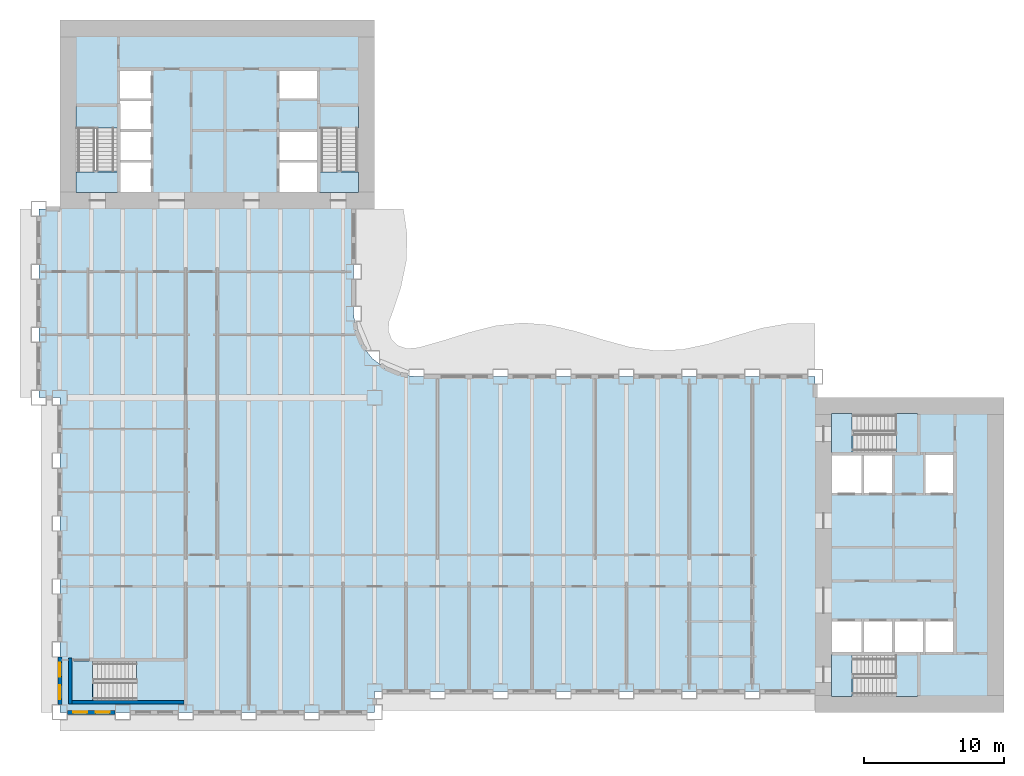
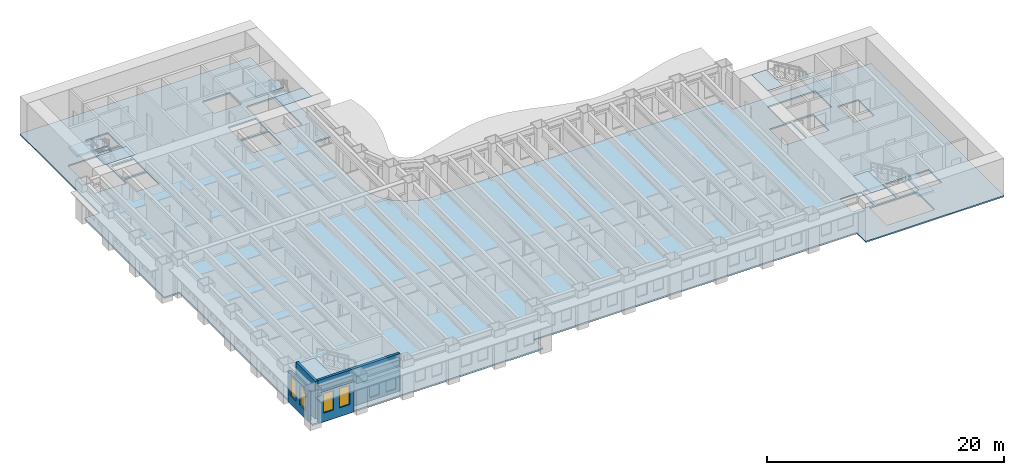
# One storey, part 2 of 15: 11 slabs, 4 walls, 4 windows, 4 openings, 5 elements without a shape of their own.
"""IFC4 building model written with IfcOpenShell, lengths in metres."""

from ifc_helpers import new_model, si_unit, direction, frame, frame_2d, origin, place, context, subcontext, project, spatial, polyline, rectangle, outline, extrude, material, layer, layer_set, type_object, element, fill, aggregate, save


model = new_model("IFC4")

# Units and contexts
model_context = context("Model", 3, precision=1e-05, world=origin(), true_north=direction((0.0, 1.0)))
body_context = subcontext(model_context, "Body", "Model", "MODEL_VIEW")
ifc_project = project(units=[si_unit("LENGTHUNIT", "METRE"), si_unit("AREAUNIT", "SQUARE_METRE"), si_unit("VOLUMEUNIT", "CUBIC_METRE"), si_unit("PLANEANGLEUNIT", "RADIAN"), si_unit("MASSUNIT", "GRAM", prefix="KILO")], contexts=[model_context])

# Site, building, storey
site_placement = place(None, origin())
site = spatial("IfcSite", under=ifc_project, at=site_placement, CompositionType="ELEMENT")
building_placement = place(site_placement, origin())
building = spatial("IfcBuilding", under=site, at=building_placement, Name="Sennacour Bend Tower", CompositionType="ELEMENT")
storey_placement = place(building_placement, frame((0.0, 0.0, 33.0)))
storey = spatial("IfcBuildingStorey", under=building, at=storey_placement, Name="L06", CompositionType="ELEMENT", Elevation=33.0)

# Slabs
ifc_material_1 = material(Name="Concrete C30/37", Category="concrete")
ifc_layer_1 = layer(ifc_material_1, 0.14990234375, Name="Concrete C30/37", Category="concrete")
ifc_layer_set_1 = layer_set([ifc_layer_1], Name="Concrete C30/37")
slab_type_1 = type_object("IfcSlabType", Name="Floor slab 150", PredefinedType="FLOOR", material=ifc_layer_set_1)
slab_1_placement = place(storey_placement, frame((0.0, 0.0, -0.14990234375)))
element("IfcSlab", 1, at=slab_1_placement, inside=storey, type_object=slab_type_1, Name="Floor slab L06-01", PredefinedType="FLOOR", context=body_context, shape_type="SweptSolid", body=[
    extrude(outline(polyline([(0.0, 22.5), (-1.5, 22.5), (-1.5, 36.0), (0.0, 36.0), (0.0, 49.5), (22.5, 49.5), (22.5, 36.0), (21.0, 36.0), (21.0, 28.5), (21.1533203125, 27.335205078125), (21.602783203125, 26.25), (22.318115234375, 25.318115234375), (23.25, 24.602783203125), (24.335205078125, 24.1533203125), (25.5, 24.0), (54.0, 24.0), (54.0, 22.5), (67.5, 22.5), (67.5, 0.0), (54.0, 0.0), (54.0, 1.5), (22.5, 1.5), (22.5, 0.0), (0.0, 0.0), (0.0, 22.5)]), holes=[polyline([(8.800048828125, 0.949951171875), (8.800048828125, 3.5), (2.429931640625, 3.5), (2.429931640625, 0.949951171875), (8.800048828125, 0.949951171875)]), polyline([(6.5, 37.199951171875), (6.5, 39.300048828125), (4.300048828125, 39.300048828125), (4.300048828125, 37.199951171875), (6.5, 37.199951171875)]), polyline([(18.39990234375, 37.199951171875), (18.39990234375, 39.300048828125), (15.699951171875, 39.300048828125), (15.699951171875, 37.199951171875), (18.39990234375, 37.199951171875)]), polyline([(6.5, 39.5), (6.5, 41.5), (4.300048828125, 41.5), (4.300048828125, 39.5), (6.5, 39.5)]), polyline([(18.39990234375, 39.5), (18.39990234375, 41.5), (15.699951171875, 41.5), (15.699951171875, 39.5), (18.39990234375, 39.5)]), polyline([(4.125, 38.72998046875), (4.125, 43.39990234375), (1.14990234375, 43.39990234375), (1.14990234375, 38.72998046875), (4.125, 38.72998046875)]), polyline([(21.35009765625, 38.72998046875), (21.35009765625, 43.39990234375), (18.574951171875, 43.39990234375), (18.574951171875, 38.72998046875), (21.35009765625, 38.72998046875)]), polyline([(4.300048828125, 41.699951171875), (6.5, 41.699951171875), (6.5, 43.699951171875), (4.300048828125, 43.699951171875), (4.300048828125, 41.699951171875)]), polyline([(4.300048828125, 43.89990234375), (6.5, 43.89990234375), (6.5, 45.89990234375), (4.300048828125, 45.89990234375), (4.300048828125, 43.89990234375)]), polyline([(18.39990234375, 43.89990234375), (18.39990234375, 45.89990234375), (15.699951171875, 45.89990234375), (15.699951171875, 43.89990234375), (18.39990234375, 43.89990234375)]), polyline([(61.39990234375, 1.14990234375), (61.39990234375, 4.125), (56.72998046875, 4.125), (56.72998046875, 1.14990234375), (61.39990234375, 1.14990234375)]), polyline([(57.300048828125, 4.300048828125), (57.300048828125, 6.5), (55.199951171875, 6.5), (55.199951171875, 4.300048828125), (57.300048828125, 4.300048828125)]), polyline([(57.5, 4.300048828125), (59.5, 4.300048828125), (59.5, 6.5), (57.5, 6.5), (57.5, 4.300048828125)]), polyline([(59.699951171875, 4.300048828125), (61.699951171875, 4.300048828125), (61.699951171875, 6.5), (59.699951171875, 6.5), (59.699951171875, 4.300048828125)]), polyline([(63.89990234375, 4.300048828125), (63.89990234375, 6.5), (61.89990234375, 6.5), (61.89990234375, 4.300048828125), (63.89990234375, 4.300048828125)]), polyline([(57.300048828125, 15.699951171875), (57.300048828125, 18.39990234375), (55.199951171875, 18.39990234375), (55.199951171875, 15.699951171875), (57.300048828125, 15.699951171875)]), polyline([(59.5, 15.699951171875), (59.5, 18.39990234375), (57.5, 18.39990234375), (57.5, 15.699951171875), (59.5, 15.699951171875)]), polyline([(61.89990234375, 15.699951171875), (63.89990234375, 15.699951171875), (63.89990234375, 18.39990234375), (61.89990234375, 18.39990234375), (61.89990234375, 15.699951171875)]), polyline([(56.72998046875, 18.574951171875), (61.39990234375, 18.574951171875), (61.39990234375, 21.35009765625), (56.72998046875, 21.35009765625), (56.72998046875, 18.574951171875)])]), origin(), (0.0, 0.0, 1.0), 0.14990234375),
])
ifc_material_2 = material(Name="Concrete C40/50", Category="concrete")
ifc_layer_2 = layer(ifc_material_2, 0.034912109375, Name="Concrete C40/50", Category="concrete")
ifc_layer_set_2 = layer_set([ifc_layer_2], Name="Concrete C40/50")
slab_type_2 = type_object("IfcSlabType", Name="Stair arrival nib 35", PredefinedType="FLOOR", material=ifc_layer_set_2)
slab_2_placement = place(storey_placement, frame((0.0, 0.0, 3.815185546875)))
element("IfcSlab", 2, at=slab_2_placement, inside=storey, type_object=slab_type_2, Name="L06 SA1 stair arrival nib", PredefinedType="FLOOR", context=body_context, shape_type="SweptSolid", body=[
    extrude(outline(polyline([(56.64208984375, 4.125), (55.14990234375, 4.125), (55.14990234375, 1.14990234375), (56.64208984375, 1.14990234375), (56.64208984375, 4.125)])), origin(), (0.0, 0.0, 1.0), 0.034912109375),
])
slab_3_placement = place(storey_placement, frame((0.0, 0.0, 3.815185546875)))
element("IfcSlab", 3, at=slab_3_placement, inside=storey, type_object=slab_type_2, Name="L06 SA2 stair arrival nib", PredefinedType="FLOOR", context=body_context, shape_type="SweptSolid", body=[
    extrude(outline(polyline([(56.64208984375, 21.35009765625), (55.14990234375, 21.35009765625), (55.14990234375, 18.574951171875), (56.64208984375, 18.574951171875), (56.64208984375, 21.35009765625)])), origin(), (0.0, 0.0, 1.0), 0.034912109375),
])
slab_4_placement = place(storey_placement, frame((0.0, 0.0, 3.815185546875)))
element("IfcSlab", 4, at=slab_4_placement, inside=storey, type_object=slab_type_2, Name="L06 SB1 stair arrival nib", PredefinedType="FLOOR", context=body_context, shape_type="SweptSolid", body=[
    extrude(outline(polyline([(1.14990234375, 38.64208984375), (1.14990234375, 37.14990234375), (4.125, 37.14990234375), (4.125, 38.64208984375), (1.14990234375, 38.64208984375)])), origin(), (0.0, 0.0, 1.0), 0.034912109375),
])
slab_5_placement = place(storey_placement, frame((0.0, 0.0, 3.815185546875)))
element("IfcSlab", 5, at=slab_5_placement, inside=storey, type_object=slab_type_2, Name="L06 SB2 stair arrival nib", PredefinedType="FLOOR", context=body_context, shape_type="SweptSolid", body=[
    extrude(outline(polyline([(18.574951171875, 38.64208984375), (18.574951171875, 37.14990234375), (21.35009765625, 37.14990234375), (21.35009765625, 38.64208984375), (18.574951171875, 38.64208984375)])), origin(), (0.0, 0.0, 1.0), 0.034912109375),
])
slab_6_placement = place(storey_placement, frame((0.0, 0.0, 3.815185546875)))
element("IfcSlab", 6, at=slab_6_placement, inside=storey, type_object=slab_type_2, Name="L06 SK1 stair arrival nib", PredefinedType="FLOOR", context=body_context, shape_type="SweptSolid", body=[
    extrude(outline(polyline([(2.342041015625, 3.675048828125), (0.800048828125, 3.675048828125), (0.800048828125, 0.800048828125), (2.342041015625, 0.800048828125), (2.342041015625, 3.675048828125)])), origin(), (0.0, 0.0, 1.0), 0.034912109375),
])

# Stair, slab
stair_type = type_object("IfcStairType", Name="ST-DOGLEG", PredefinedType="HALF_TURN_STAIR", material=ifc_material_2)
stair_1_placement = place(storey_placement, origin())
stair_1 = element("IfcStair", 7, at=stair_1_placement, inside=storey, type_object=stair_type, Name="L06 Exit stair A1", PredefinedType="HALF_TURN_STAIR")
ifc_layer_3 = layer(ifc_material_2, 0.199951171875, Name="Concrete C40/50", Category="concrete")
ifc_layer_set_3 = layer_set([ifc_layer_3], Name="Concrete C40/50")
slab_type_3 = type_object("IfcSlabType", Name="Stair landing 200", PredefinedType="LANDING", material=ifc_layer_set_3)
slab_7_placement = place(storey_placement, frame((0.0, 0.0, 1.800048828125)))
slab_7 = element("IfcSlab", 8, at=slab_7_placement, type_object=slab_type_3, Name="SA1 landing 1", PredefinedType="LANDING", context=body_context, shape_type="SweptSolid", body=[
    extrude(outline(polyline([(59.780029296875, 1.14990234375), (61.324951171875, 1.14990234375), (61.324951171875, 4.125), (59.780029296875, 4.125), (59.780029296875, 1.14990234375)])), origin(), (0.0, 0.0, 1.0), 0.199951171875),
])
aggregate(stair_1, [slab_7])

stair_2_placement = place(storey_placement, origin())
stair_2 = element("IfcStair", 9, at=stair_2_placement, inside=storey, type_object=stair_type, Name="L06 Exit stair A2", PredefinedType="HALF_TURN_STAIR")
slab_8_placement = place(storey_placement, frame((0.0, 0.0, 1.800048828125)))
slab_8 = element("IfcSlab", 10, at=slab_8_placement, type_object=slab_type_3, Name="SA2 landing 1", PredefinedType="LANDING", context=body_context, shape_type="SweptSolid", body=[
    extrude(outline(polyline([(59.780029296875, 18.574951171875), (61.324951171875, 18.574951171875), (61.324951171875, 21.35009765625), (59.780029296875, 21.35009765625), (59.780029296875, 18.574951171875)])), origin(), (0.0, 0.0, 1.0), 0.199951171875),
])
aggregate(stair_2, [slab_8])

stair_3_placement = place(storey_placement, origin())
stair_3 = element("IfcStair", 11, at=stair_3_placement, inside=storey, type_object=stair_type, Name="L06 Exit stair B1", PredefinedType="HALF_TURN_STAIR")
slab_9_placement = place(storey_placement, frame((0.0, 0.0, 1.800048828125)))
slab_9 = element("IfcSlab", 12, at=slab_9_placement, type_object=slab_type_3, Name="SB1 landing 1", PredefinedType="LANDING", context=body_context, shape_type="SweptSolid", body=[
    extrude(outline(polyline([(1.14990234375, 41.780029296875), (4.125, 41.780029296875), (4.125, 43.324951171875), (1.14990234375, 43.324951171875), (1.14990234375, 41.780029296875)])), origin(), (0.0, 0.0, 1.0), 0.199951171875),
])
aggregate(stair_3, [slab_9])

stair_4_placement = place(storey_placement, origin())
stair_4 = element("IfcStair", 13, at=stair_4_placement, inside=storey, type_object=stair_type, Name="L06 Exit stair B2", PredefinedType="HALF_TURN_STAIR")
slab_10_placement = place(storey_placement, frame((0.0, 0.0, 1.800048828125)))
slab_10 = element("IfcSlab", 14, at=slab_10_placement, type_object=slab_type_3, Name="SB2 landing 1", PredefinedType="LANDING", context=body_context, shape_type="SweptSolid", body=[
    extrude(outline(polyline([(18.574951171875, 41.780029296875), (21.35009765625, 41.780029296875), (21.35009765625, 43.324951171875), (18.574951171875, 43.324951171875), (18.574951171875, 41.780029296875)])), origin(), (0.0, 0.0, 1.0), 0.199951171875),
])
aggregate(stair_4, [slab_10])

stair_5_placement = place(storey_placement, origin())
stair_5 = element("IfcStair", 15, at=stair_5_placement, inside=storey, type_object=stair_type, Name="L06 Exit stair K1", PredefinedType="HALF_TURN_STAIR")
slab_11_placement = place(storey_placement, frame((0.0, 0.0, 1.800048828125)))
slab_11 = element("IfcSlab", 16, at=slab_11_placement, type_object=slab_type_3, Name="SK1 landing 1", PredefinedType="LANDING", context=body_context, shape_type="SweptSolid", body=[
    extrude(outline(polyline([(5.47998046875, 0.800048828125), (8.925048828125, 0.800048828125), (8.925048828125, 3.675048828125), (5.47998046875, 3.675048828125), (5.47998046875, 0.800048828125)])), origin(), (0.0, 0.0, 1.0), 0.199951171875),
])
aggregate(stair_5, [slab_11])

# Wall, openings, windows
ifc_material_3 = material(Name="Warm limestone cladding", Category="masonry")
ifc_layer_4 = layer(ifc_material_3, 0.050048828125, Name="Warm limestone cladding", Category="masonry")
ifc_material_4 = material(Name="Precast concrete C40/50", Category="concrete")
ifc_layer_5 = layer(ifc_material_4, 0.25, Name="Precast concrete C40/50", Category="concrete")
ifc_layer_set_4 = layer_set([ifc_layer_4, ifc_layer_5], Name="Precast concrete C40/50 with limestone cladding")
wall_type_1 = type_object("IfcWallType", Name="STONE-CLAD PRECAST SPANDREL 300", PredefinedType="STANDARD", material=ifc_layer_set_4)
wall_1_placement = place(storey_placement, frame((0.550048828125, 0.0, 0.0), z_axis=(0.0, 0.0, 1.0), x_axis=(1.0, 0.0, 0.0)))
wall_1 = element("IfcWall", 17, at=wall_1_placement, inside=storey, type_object=wall_type_1, Name="Stone spandrel and pier wall L06 00.00", PredefinedType="STANDARD", context=body_context, shape_type="SweptSolid", body=[
    extrude(rectangle(XDim=3.39990234375, YDim=0.300048828125, at=frame_2d((1.699951171875, 0.0))), origin(), (0.0, 0.0, 1.0), 3.14404296875),
])
opening_1_placement = place(wall_1_placement, frame((0.39990234375, 0.0, 0.89990234375)))
opening_1 = element("IfcOpeningElement", 18, at=opening_1_placement, cuts=wall_1, Name="Opening W8", PredefinedType="OPENING", context=body_context, shape_type="SweptSolid", body=[
    extrude(rectangle(XDim=1.0, YDim=2.0, at=frame_2d((0.5, 1.0))), frame((0.0, 0.16015625, 0.0), z_axis=(0.0, -1.0, 0.0), x_axis=(1.0, 0.0, 0.0)), (0.0, 0.0, 1.0), 0.320068359375),
])
opening_2_placement = place(wall_1_placement, frame((2.0, 0.0, 0.89990234375)))
opening_2 = element("IfcOpeningElement", 19, at=opening_2_placement, cuts=wall_1, Name="Opening W8", PredefinedType="OPENING", context=body_context, shape_type="SweptSolid", body=[
    extrude(rectangle(XDim=1.0, YDim=2.0, at=frame_2d((0.5, 1.0))), frame((0.0, 0.16015625, 0.0), z_axis=(0.0, -1.0, 0.0), x_axis=(1.0, 0.0, 0.0)), (0.0, 0.0, 1.0), 0.320068359375),
])
ifc_material_5 = material(Name="Clear low-emissivity glass", Category="glass")
window_type = type_object("IfcWindowType", Name="WIN-RIBBON-1000x2000", PartitioningType="SINGLE_PANEL", PredefinedType="WINDOW", material=ifc_material_5)
window_1_placement = place(opening_1_placement, origin())
window_1 = element("IfcWindow", 20, at=window_1_placement, inside=storey, type_object=window_type, Name="Ribbon window L06 00.00.0", OverallHeight=2.0, OverallWidth=1.0, PartitioningType="SINGLE_PANEL", PredefinedType="WINDOW", context=body_context, shape_type="SweptSolid", body=[
    extrude(rectangle(XDim=1.0, YDim=2.0, at=frame_2d((0.5, 1.0))), frame((0.0, 0.030029296875, 0.0), z_axis=(0.0, -1.0, 0.0), x_axis=(1.0, 0.0, 0.0)), (0.0, 0.0, 1.0), 0.06005859375),
])
fill(opening_1, window_1)
window_2_placement = place(opening_2_placement, origin())
window_2 = element("IfcWindow", 21, at=window_2_placement, inside=storey, type_object=window_type, Name="Ribbon window L06 00.00.1", OverallHeight=2.0, OverallWidth=1.0, PartitioningType="SINGLE_PANEL", PredefinedType="WINDOW", context=body_context, shape_type="SweptSolid", body=[
    extrude(rectangle(XDim=1.0, YDim=2.0, at=frame_2d((0.5, 1.0))), frame((0.0, 0.030029296875, 0.0), z_axis=(0.0, -1.0, 0.0), x_axis=(1.0, 0.0, 0.0)), (0.0, 0.0, 1.0), 0.06005859375),
])
fill(opening_2, window_2)

wall_2_placement = place(storey_placement, frame((0.0, 3.949951171875, 0.0), z_axis=(0.0, 0.0, 1.0), x_axis=(0.0, -1.0, 0.0)))
wall_2 = element("IfcWall", 22, at=wall_2_placement, inside=storey, type_object=wall_type_1, Name="Stone spandrel and pier wall L06 23.04", PredefinedType="STANDARD", context=body_context, shape_type="SweptSolid", body=[
    extrude(rectangle(XDim=3.39990234375, YDim=0.300048828125, at=frame_2d((1.699951171875, 0.0))), origin(), (0.0, 0.0, 1.0), 3.14404296875),
])
opening_3_placement = place(wall_2_placement, frame((0.39990234375, 0.0, 0.89990234375)))
opening_3 = element("IfcOpeningElement", 23, at=opening_3_placement, cuts=wall_2, Name="Opening W8", PredefinedType="OPENING", context=body_context, shape_type="SweptSolid", body=[
    extrude(rectangle(XDim=1.0, YDim=2.0, at=frame_2d((0.5, 1.0))), frame((0.0, 0.16015625, 0.0), z_axis=(0.0, -1.0, 0.0), x_axis=(1.0, 0.0, 0.0)), (0.0, 0.0, 1.0), 0.320068359375),
])
opening_4_placement = place(wall_2_placement, frame((2.0, 0.0, 0.89990234375)))
opening_4 = element("IfcOpeningElement", 24, at=opening_4_placement, cuts=wall_2, Name="Opening W8", PredefinedType="OPENING", context=body_context, shape_type="SweptSolid", body=[
    extrude(rectangle(XDim=1.0, YDim=2.0, at=frame_2d((0.5, 1.0))), frame((0.0, 0.16015625, 0.0), z_axis=(0.0, -1.0, 0.0), x_axis=(1.0, 0.0, 0.0)), (0.0, 0.0, 1.0), 0.320068359375),
])
window_3_placement = place(opening_3_placement, origin())
window_3 = element("IfcWindow", 25, at=window_3_placement, inside=storey, type_object=window_type, Name="Ribbon window L06 23.04.0", OverallHeight=2.0, OverallWidth=1.0, PartitioningType="SINGLE_PANEL", PredefinedType="WINDOW", context=body_context, shape_type="SweptSolid", body=[
    extrude(rectangle(XDim=1.0, YDim=2.0, at=frame_2d((0.5, 1.0))), frame((0.0, 0.030029296875, 0.0), z_axis=(0.0, -1.0, 0.0), x_axis=(1.0, 0.0, 0.0)), (0.0, 0.0, 1.0), 0.06005859375),
])
fill(opening_3, window_3)
window_4_placement = place(opening_4_placement, origin())
window_4 = element("IfcWindow", 26, at=window_4_placement, inside=storey, type_object=window_type, Name="Ribbon window L06 23.04.1", OverallHeight=2.0, OverallWidth=1.0, PartitioningType="SINGLE_PANEL", PredefinedType="WINDOW", context=body_context, shape_type="SweptSolid", body=[
    extrude(rectangle(XDim=1.0, YDim=2.0, at=frame_2d((0.5, 1.0))), frame((0.0, 0.030029296875, 0.0), z_axis=(0.0, -1.0, 0.0), x_axis=(1.0, 0.0, 0.0)), (0.0, 0.0, 1.0), 0.06005859375),
])
fill(opening_4, window_4)

# Walls
ifc_material_6 = material(Name="Concrete C60/75", Category="concrete")
ifc_layer_6 = layer(ifc_material_6, 0.25, Name="Concrete C60/75", Category="concrete")
ifc_layer_set_5 = layer_set([ifc_layer_6], Name="Concrete C60/75")
wall_type_2 = type_object("IfcWallType", Name="Stair wall 250", PredefinedType="SHEAR", material=ifc_layer_set_5)
wall_3_placement = place(storey_placement, frame((0.72509765625, 0.60009765625, 0.0), z_axis=(0.0, 0.0, 1.0), x_axis=(0.0, 1.0, 0.0)))
element("IfcWall", 27, at=wall_3_placement, inside=storey, type_object=wall_type_2, Name="P-L06-W003", PredefinedType="SHEAR", context=body_context, shape_type="SweptSolid", body=[
    extrude(rectangle(XDim=3.27490234375, YDim=0.25, at=frame_2d((1.637451171875, 0.0))), origin(), (0.0, 0.0, 1.0), 3.85009765625),
])
wall_4_placement = place(storey_placement, frame((0.85009765625, 0.72509765625, 0.0), z_axis=(0.0, 0.0, 1.0), x_axis=(1.0, 0.0, 0.0)))
element("IfcWall", 28, at=wall_4_placement, inside=storey, type_object=wall_type_2, Name="P-L06-W048", PredefinedType="SHEAR", context=body_context, shape_type="SweptSolid", body=[
    extrude(rectangle(XDim=8.02490234375, YDim=0.25, at=frame_2d((4.012451171875, 0.0))), origin(), (0.0, 0.0, 1.0), 3.85009765625),
])

save(model, "model.ifc")
